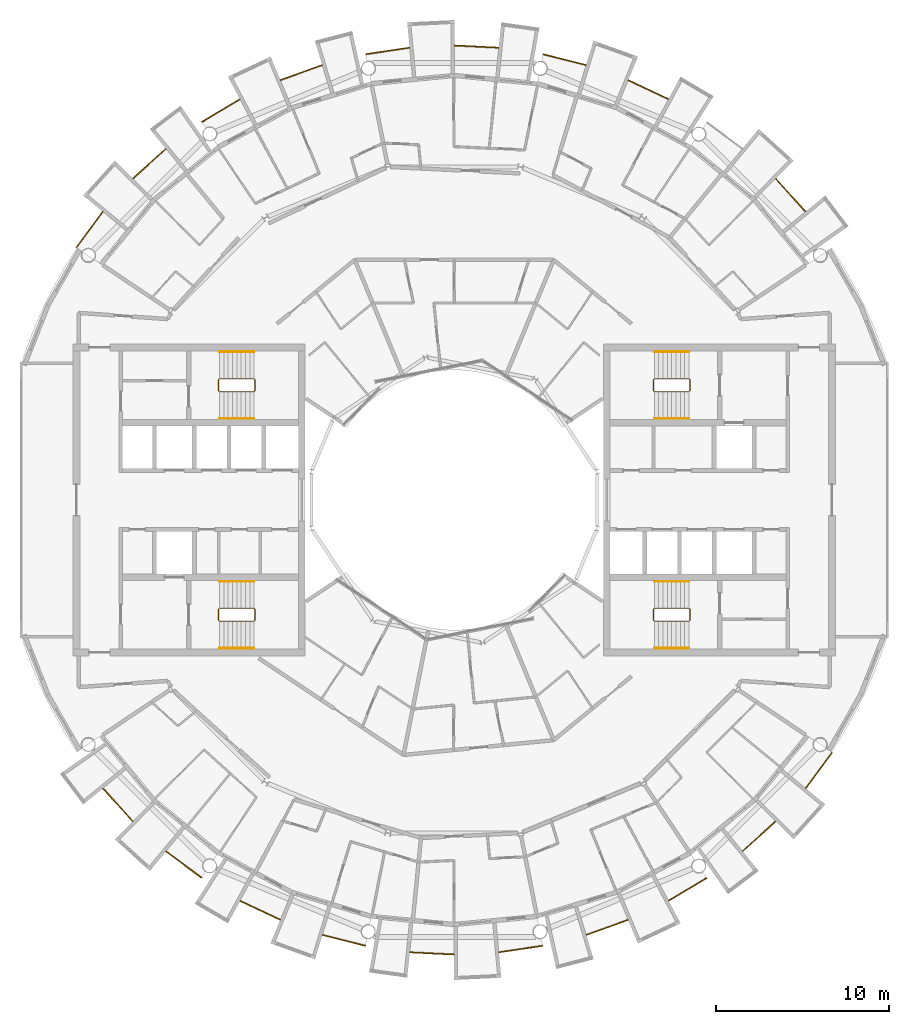
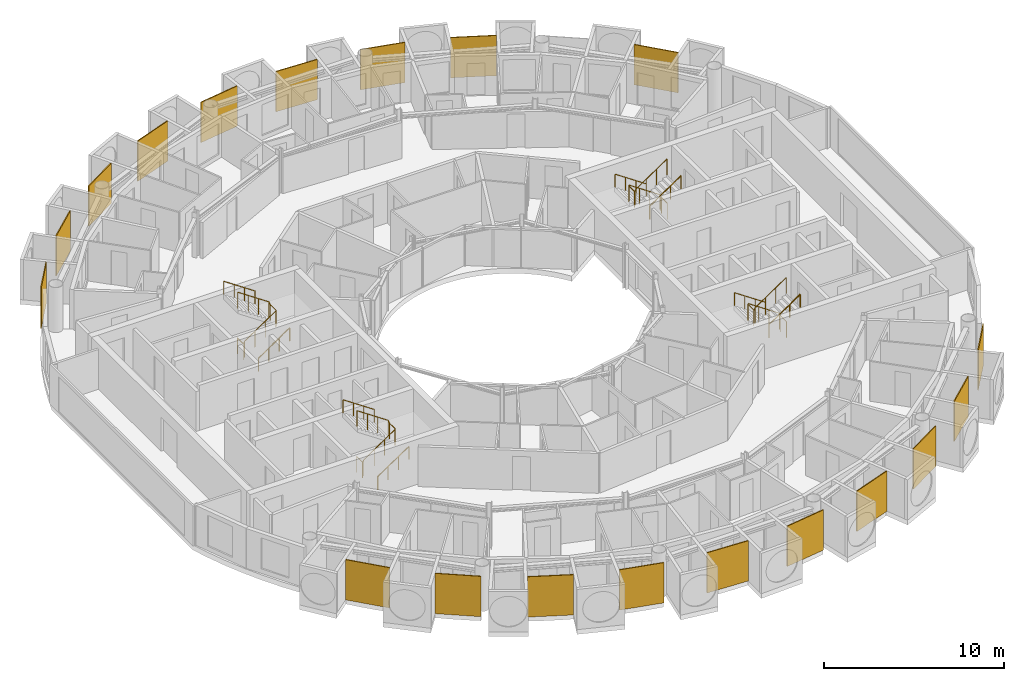
# One storey, part 26 of 27: 31 railings.
"""IFC4 building model written with IfcOpenShell, lengths in metres."""

from ifc_helpers import new_model, si_unit, direction, frame, origin, origin_2d, place, context, subcontext, project, spatial, polyline, circle, outline, extrude, material, layer, layer_set, type_object, element, save


model = new_model("IFC4")

# Units and contexts
model_context = context("Model", 3, precision=1e-05, world=origin(), true_north=direction((0.0, 1.0)))
body_context = subcontext(model_context, "Body", "Model", "MODEL_VIEW")
ifc_project = project(units=[si_unit("LENGTHUNIT", "METRE"), si_unit("AREAUNIT", "SQUARE_METRE"), si_unit("VOLUMEUNIT", "CUBIC_METRE"), si_unit("PLANEANGLEUNIT", "RADIAN"), si_unit("MASSUNIT", "GRAM", prefix="KILO")], contexts=[model_context])

# Site, building, storey
site_placement = place(None, origin())
site = spatial("IfcSite", under=ifc_project, at=site_placement, CompositionType="ELEMENT")
building_placement = place(site_placement, origin())
building = spatial("IfcBuilding", under=site, at=building_placement, Name="Maasbend Ring Residences", CompositionType="ELEMENT")
storey_placement = place(building_placement, frame((0.0, 0.0, 240.14990234375)))
storey = spatial("IfcBuildingStorey", under=building, at=storey_placement, Name="L69", CompositionType="ELEMENT", Elevation=240.14990234375)

# Railings
ifc_material_1 = material(Name="Pale anodised perforated aluminium", Category="aluminium")
ifc_layer = layer(ifc_material_1, 0.06005859375)
ifc_layer_set = layer_set([ifc_layer], Name="SCREEN-P")
railing_type_1 = type_object("IfcRailingType", Name="SCREEN-P", PredefinedType="GUARDRAIL", material=ifc_layer_set)
railing_1_placement = place(storey_placement, frame((0.0, 0.0, -0.02978515625)))
element("IfcRailing", 1, at=railing_1_placement, inside=storey, type_object=railing_type_1, Name="Perforated screen guard 1", PredefinedType="GUARDRAIL", context=body_context, shape_type="SweptSolid", body=[
    extrude(outline(polyline([(20.2529296875, 16.62109375), (18.52587890625, 18.52587890625), (18.571044921875, 18.56591796875), (20.297119140625, 16.660888671875), (20.2529296875, 16.62109375)])), origin(), (0.0, 0.0, 1.0), 2.72998046875),
])
railing_2_placement = place(storey_placement, frame((0.0, 0.0, -0.02978515625)))
element("IfcRailing", 2, at=railing_2_placement, inside=storey, type_object=railing_type_1, Name="Perforated screen guard 3", PredefinedType="GUARDRAIL", context=body_context, shape_type="SweptSolid", body=[
    extrude(outline(polyline([(12.35107421875, 23.10595703125), (10.02587890625, 24.2060546875), (10.052001953125, 24.260009765625), (12.3759765625, 23.160888671875), (12.35107421875, 23.10595703125)])), origin(), (0.0, 0.0, 1.0), 2.72998046875),
])
railing_3_placement = place(storey_placement, frame((0.0, 0.0, -0.02978515625)))
element("IfcRailing", 3, at=railing_3_placement, inside=storey, type_object=railing_type_1, Name="Perforated screen guard 4", PredefinedType="GUARDRAIL", context=body_context, shape_type="SweptSolid", body=[
    extrude(outline(polyline([(7.60498046875, 25.072021484375), (5.111083984375, 25.697021484375), (5.1259765625, 25.7548828125), (7.6201171875, 25.1298828125), (7.60498046875, 25.072021484375)])), origin(), (0.0, 0.0, 1.0), 2.72998046875),
])
railing_4_placement = place(storey_placement, frame((0.0, 0.0, -0.02978515625)))
element("IfcRailing", 4, at=railing_4_placement, inside=storey, type_object=railing_type_1, Name="Perforated screen guard 5", PredefinedType="GUARDRAIL", context=body_context, shape_type="SweptSolid", body=[
    extrude(outline(polyline([(2.568115234375, 26.073974609375), (0.0, 26.199951171875), (0.0029296875, 26.260009765625), (2.571044921875, 26.134033203125), (2.568115234375, 26.073974609375)])), origin(), (0.0, 0.0, 1.0), 2.72998046875),
])
railing_5_placement = place(storey_placement, frame((0.0, 0.0, -0.02978515625)))
element("IfcRailing", 5, at=railing_5_placement, inside=storey, type_object=railing_type_1, Name="Perforated screen guard 6", PredefinedType="GUARDRAIL", context=body_context, shape_type="SweptSolid", body=[
    extrude(outline(polyline([(-2.568115234375, 26.073974609375), (-5.111083984375, 25.697021484375), (-5.1201171875, 25.756103515625), (-2.576904296875, 26.133056640625), (-2.568115234375, 26.073974609375)])), origin(), (0.0, 0.0, 1.0), 2.72998046875),
])
railing_6_placement = place(storey_placement, frame((0.0, 0.0, -0.02978515625)))
element("IfcRailing", 6, at=railing_6_placement, inside=storey, type_object=railing_type_1, Name="Perforated screen guard 7", PredefinedType="GUARDRAIL", context=body_context, shape_type="SweptSolid", body=[
    extrude(outline(polyline([(-7.60498046875, 25.072021484375), (-10.02587890625, 24.2060546875), (-10.047119140625, 24.261962890625), (-7.6259765625, 25.1279296875), (-7.60498046875, 25.072021484375)])), origin(), (0.0, 0.0, 1.0), 2.72998046875),
])
railing_7_placement = place(storey_placement, frame((0.0, 0.0, -0.02978515625)))
element("IfcRailing", 7, at=railing_7_placement, inside=storey, type_object=railing_type_1, Name="Perforated screen guard 8", PredefinedType="GUARDRAIL", context=body_context, shape_type="SweptSolid", body=[
    extrude(outline(polyline([(-12.35107421875, 23.10595703125), (-14.555908203125, 21.784912109375), (-14.5869140625, 21.8359375), (-12.381103515625, 23.157958984375), (-12.35107421875, 23.10595703125)])), origin(), (0.0, 0.0, 1.0), 2.72998046875),
])
railing_8_placement = place(storey_placement, frame((0.0, 0.0, -0.02978515625)))
element("IfcRailing", 8, at=railing_8_placement, inside=storey, type_object=railing_type_1, Name="Perforated screen guard 9", PredefinedType="GUARDRAIL", context=body_context, shape_type="SweptSolid", body=[
    extrude(outline(polyline([(-16.62109375, 20.2529296875), (-18.52587890625, 18.52587890625), (-18.56591796875, 18.571044921875), (-16.660888671875, 20.297119140625), (-16.62109375, 20.2529296875)])), origin(), (0.0, 0.0, 1.0), 2.72998046875),
])
railing_9_placement = place(storey_placement, frame((0.0, 0.0, -0.02978515625)))
element("IfcRailing", 9, at=railing_9_placement, inside=storey, type_object=railing_type_1, Name="Perforated screen guard 10", PredefinedType="GUARDRAIL", context=body_context, shape_type="SweptSolid", body=[
    extrude(outline(polyline([(-20.2529296875, 16.62109375), (-21.784912109375, 14.555908203125), (-21.8330078125, 14.592041015625), (-20.301025390625, 16.656982421875), (-20.2529296875, 16.62109375)])), origin(), (0.0, 0.0, 1.0), 2.72998046875),
])
railing_10_placement = place(storey_placement, frame((0.0, 0.0, -0.02978515625)))
element("IfcRailing", 10, at=railing_10_placement, inside=storey, type_object=railing_type_1, Name="Perforated screen guard 1", PredefinedType="GUARDRAIL", context=body_context, shape_type="SweptSolid", body=[
    extrude(outline(polyline([(-20.2529296875, -16.62109375), (-18.52587890625, -18.52587890625), (-18.571044921875, -18.56591796875), (-20.297119140625, -16.660888671875), (-20.2529296875, -16.62109375)])), origin(), (0.0, 0.0, 1.0), 2.72998046875),
])
railing_11_placement = place(storey_placement, frame((0.0, 0.0, -0.02978515625)))
element("IfcRailing", 11, at=railing_11_placement, inside=storey, type_object=railing_type_1, Name="Perforated screen guard 2", PredefinedType="GUARDRAIL", context=body_context, shape_type="SweptSolid", body=[
    extrude(outline(polyline([(-16.62109375, -20.2529296875), (-14.555908203125, -21.784912109375), (-14.592041015625, -21.8330078125), (-16.656982421875, -20.301025390625), (-16.62109375, -20.2529296875)])), origin(), (0.0, 0.0, 1.0), 2.72998046875),
])
railing_12_placement = place(storey_placement, frame((0.0, 0.0, -0.02978515625)))
element("IfcRailing", 12, at=railing_12_placement, inside=storey, type_object=railing_type_1, Name="Perforated screen guard 3", PredefinedType="GUARDRAIL", context=body_context, shape_type="SweptSolid", body=[
    extrude(outline(polyline([(-12.35107421875, -23.10595703125), (-10.02587890625, -24.2060546875), (-10.052001953125, -24.260009765625), (-12.3759765625, -23.160888671875), (-12.35107421875, -23.10595703125)])), origin(), (0.0, 0.0, 1.0), 2.72998046875),
])
railing_13_placement = place(storey_placement, frame((0.0, 0.0, -0.02978515625)))
element("IfcRailing", 13, at=railing_13_placement, inside=storey, type_object=railing_type_1, Name="Perforated screen guard 4", PredefinedType="GUARDRAIL", context=body_context, shape_type="SweptSolid", body=[
    extrude(outline(polyline([(-7.60498046875, -25.072021484375), (-5.111083984375, -25.697021484375), (-5.1259765625, -25.7548828125), (-7.6201171875, -25.1298828125), (-7.60498046875, -25.072021484375)])), origin(), (0.0, 0.0, 1.0), 2.72998046875),
])
railing_14_placement = place(storey_placement, frame((0.0, 0.0, -0.02978515625)))
element("IfcRailing", 14, at=railing_14_placement, inside=storey, type_object=railing_type_1, Name="Perforated screen guard 5", PredefinedType="GUARDRAIL", context=body_context, shape_type="SweptSolid", body=[
    extrude(outline(polyline([(-2.568115234375, -26.073974609375), (0.0, -26.199951171875), (-0.0029296875, -26.260009765625), (-2.571044921875, -26.134033203125), (-2.568115234375, -26.073974609375)])), origin(), (0.0, 0.0, 1.0), 2.72998046875),
])
railing_15_placement = place(storey_placement, frame((0.0, 0.0, -0.02978515625)))
element("IfcRailing", 15, at=railing_15_placement, inside=storey, type_object=railing_type_1, Name="Perforated screen guard 6", PredefinedType="GUARDRAIL", context=body_context, shape_type="SweptSolid", body=[
    extrude(outline(polyline([(2.568115234375, -26.073974609375), (5.111083984375, -25.697021484375), (5.1201171875, -25.756103515625), (2.576904296875, -26.133056640625), (2.568115234375, -26.073974609375)])), origin(), (0.0, 0.0, 1.0), 2.72998046875),
])
railing_16_placement = place(storey_placement, frame((0.0, 0.0, -0.02978515625)))
element("IfcRailing", 16, at=railing_16_placement, inside=storey, type_object=railing_type_1, Name="Perforated screen guard 7", PredefinedType="GUARDRAIL", context=body_context, shape_type="SweptSolid", body=[
    extrude(outline(polyline([(7.60498046875, -25.072021484375), (10.02587890625, -24.2060546875), (10.047119140625, -24.261962890625), (7.6259765625, -25.1279296875), (7.60498046875, -25.072021484375)])), origin(), (0.0, 0.0, 1.0), 2.72998046875),
])
railing_17_placement = place(storey_placement, frame((0.0, 0.0, -0.02978515625)))
element("IfcRailing", 17, at=railing_17_placement, inside=storey, type_object=railing_type_1, Name="Perforated screen guard 8", PredefinedType="GUARDRAIL", context=body_context, shape_type="SweptSolid", body=[
    extrude(outline(polyline([(12.35107421875, -23.10595703125), (14.555908203125, -21.784912109375), (14.5869140625, -21.8359375), (12.381103515625, -23.157958984375), (12.35107421875, -23.10595703125)])), origin(), (0.0, 0.0, 1.0), 2.72998046875),
])
railing_18_placement = place(storey_placement, frame((0.0, 0.0, -0.02978515625)))
element("IfcRailing", 18, at=railing_18_placement, inside=storey, type_object=railing_type_1, Name="Perforated screen guard 9", PredefinedType="GUARDRAIL", context=body_context, shape_type="SweptSolid", body=[
    extrude(outline(polyline([(16.62109375, -20.2529296875), (18.52587890625, -18.52587890625), (18.56591796875, -18.571044921875), (16.660888671875, -20.297119140625), (16.62109375, -20.2529296875)])), origin(), (0.0, 0.0, 1.0), 2.72998046875),
])
railing_19_placement = place(storey_placement, frame((0.0, 0.0, -0.02978515625)))
element("IfcRailing", 19, at=railing_19_placement, inside=storey, type_object=railing_type_1, Name="Perforated screen guard 10", PredefinedType="GUARDRAIL", context=body_context, shape_type="SweptSolid", body=[
    extrude(outline(polyline([(20.2529296875, -16.62109375), (21.784912109375, -14.555908203125), (21.8330078125, -14.592041015625), (20.301025390625, -16.656982421875), (20.2529296875, -16.62109375)])), origin(), (0.0, 0.0, 1.0), 2.72998046875),
])
ifc_material_2 = material(Name="Stainless steel 316", Category="steel")
railing_type_2 = type_object("IfcRailingType", Name="STAIR GUARD 1100", PredefinedType="GUARDRAIL", material=ifc_material_2)
railing_20_placement = place(storey_placement, frame((13.60009765625, 6.300048828125, 0.0)))
element("IfcRailing", 20, at=railing_20_placement, inside=storey, type_object=railing_type_2, Name="L69 ST-E1 stair guard 1", PredefinedType="GUARDRAIL", context=body_context, shape_type="SweptSolid", body=[
    extrude(circle(Radius=0.02392578125, at=origin_2d()), frame((0.0, 0.0, 1.076171875), z_axis=(0.0, 1.0, 0.0), x_axis=(-1.0, 0.0, 0.0)), (0.0, 0.0, 1.0), 0.64990234375),
    extrude(circle(Radius=0.02392578125, at=origin_2d()), frame((0.0, 0.64990234375, 1.076171875), z_axis=(-0.272562526181, 0.272562526181, 0.92272386912), x_axis=(-0.707106781187, -0.707106781187, 0.0)), (0.0, 0.0, 1.0), 0.18359375),
    extrude(circle(Radius=0.02392578125, at=origin_2d()), frame((-0.050048828125, 0.699951171875, 1.24560546875), z_axis=(-0.827750655447, 0.0, 0.561096116906), x_axis=(0.0, -1.0, 0.0)), (0.0, 0.0, 1.0), 2.416259765625),
    extrude(circle(Radius=0.02392578125, at=origin_2d()), frame((-2.050048828125, 0.699951171875, 2.60107421875), z_axis=(-0.707106781187, -0.707106781187, 0.0), x_axis=(0.707106781187, -0.707106781187, 0.0)), (0.0, 0.0, 1.0), 0.07080078125),
    extrude(circle(Radius=0.02392578125, at=origin_2d()), frame((-2.10009765625, 0.64990234375, 2.60107421875), z_axis=(0.0, -1.0, 0.0), x_axis=(1.0, 0.0, 0.0)), (0.0, 0.0, 1.0), 0.64990234375),
    extrude(circle(Radius=0.02392578125, at=origin_2d()), frame((-2.10009765625, 0.0, 2.60107421875), z_axis=(0.272562526181, -0.272562526181, 0.92272386912), x_axis=(0.707106781187, 0.707106781187, 0.0)), (0.0, 0.0, 1.0), 0.18359375),
    extrude(circle(Radius=0.02392578125, at=origin_2d()), frame((-2.050048828125, -0.050048828125, 2.7705078125), z_axis=(0.827797584762, 0.0, 0.561026878735), x_axis=(0.0, 1.0, 0.0)), (0.0, 0.0, 1.0), 2.416015625),
    extrude(circle(Radius=0.02099609375, at=origin_2d()), origin(), (0.0, 0.0, 1.0), 1.052001953125),
    extrude(circle(Radius=0.02099609375, at=origin_2d()), frame((0.0, 0.64990234375, 0.0)), (0.0, 0.0, 1.0), 1.052001953125),
    extrude(circle(Radius=0.02099609375, at=origin_2d()), frame((-0.050048828125, 0.699951171875, 0.16943359375)), (0.0, 0.0, 1.0), 1.052001953125),
    extrude(circle(Radius=0.02099609375, at=origin_2d()), frame((-0.716796875, 0.699951171875, 0.621337890625)), (0.0, 0.0, 1.0), 1.052001953125),
    extrude(circle(Radius=0.02099609375, at=origin_2d()), frame((-1.38330078125, 0.699951171875, 1.0732421875)), (0.0, 0.0, 1.0), 1.052001953125),
    extrude(circle(Radius=0.02099609375, at=origin_2d()), frame((-2.050048828125, 0.699951171875, 1.525146484375)), (0.0, 0.0, 1.0), 1.052001953125),
    extrude(circle(Radius=0.02099609375, at=origin_2d()), frame((-2.10009765625, 0.64990234375, 1.525146484375)), (0.0, 0.0, 1.0), 1.052001953125),
    extrude(circle(Radius=0.02099609375, at=origin_2d()), frame((-2.10009765625, 0.0, 1.525146484375)), (0.0, 0.0, 1.0), 1.052001953125),
    extrude(circle(Radius=0.02099609375, at=origin_2d()), frame((-2.050048828125, -0.050048828125, 1.694580078125)), (0.0, 0.0, 1.0), 1.052001953125),
    extrude(circle(Radius=0.02099609375, at=origin_2d()), frame((-1.38330078125, -0.050048828125, 2.146484375)), (0.0, 0.0, 1.0), 1.052001953125),
    extrude(circle(Radius=0.02099609375, at=origin_2d()), frame((-0.716796875, -0.050048828125, 2.59814453125)), (0.0, 0.0, 1.0), 1.052001953125),
    extrude(circle(Radius=0.02099609375, at=origin_2d()), frame((-0.050048828125, -0.050048828125, 3.050048828125)), (0.0, 0.0, 1.0), 1.052001953125),
])
railing_21_placement = place(storey_placement, frame((13.60009765625, -6.949951171875, 0.0)))
element("IfcRailing", 21, at=railing_21_placement, inside=storey, type_object=railing_type_2, Name="L69 ST-E2 stair guard 1", PredefinedType="GUARDRAIL", context=body_context, shape_type="SweptSolid", body=[
    extrude(circle(Radius=0.02392578125, at=origin_2d()), frame((0.0, 0.0, 1.076171875), z_axis=(0.0, 1.0, 0.0), x_axis=(-1.0, 0.0, 0.0)), (0.0, 0.0, 1.0), 0.64990234375),
    extrude(circle(Radius=0.02392578125, at=origin_2d()), frame((0.0, 0.64990234375, 1.076171875), z_axis=(-0.272562526181, 0.272562526181, 0.92272386912), x_axis=(-0.707106781187, -0.707106781187, 0.0)), (0.0, 0.0, 1.0), 0.18359375),
    extrude(circle(Radius=0.02392578125, at=origin_2d()), frame((-0.050048828125, 0.699951171875, 1.24560546875), z_axis=(-0.827750655447, 0.0, 0.561096116906), x_axis=(0.0, -1.0, 0.0)), (0.0, 0.0, 1.0), 2.416259765625),
    extrude(circle(Radius=0.02392578125, at=origin_2d()), frame((-2.050048828125, 0.699951171875, 2.60107421875), z_axis=(-0.707106781187, -0.707106781187, 0.0), x_axis=(0.707106781187, -0.707106781187, 0.0)), (0.0, 0.0, 1.0), 0.07080078125),
    extrude(circle(Radius=0.02392578125, at=origin_2d()), frame((-2.10009765625, 0.64990234375, 2.60107421875), z_axis=(0.0, -1.0, 0.0), x_axis=(1.0, 0.0, 0.0)), (0.0, 0.0, 1.0), 0.64990234375),
    extrude(circle(Radius=0.02392578125, at=origin_2d()), frame((-2.10009765625, 0.0, 2.60107421875), z_axis=(0.272562526181, -0.272562526181, 0.92272386912), x_axis=(0.707106781187, 0.707106781187, 0.0)), (0.0, 0.0, 1.0), 0.18359375),
    extrude(circle(Radius=0.02392578125, at=origin_2d()), frame((-2.050048828125, -0.050048828125, 2.7705078125), z_axis=(0.827797584762, 0.0, 0.561026878735), x_axis=(0.0, 1.0, 0.0)), (0.0, 0.0, 1.0), 2.416015625),
    extrude(circle(Radius=0.02099609375, at=origin_2d()), origin(), (0.0, 0.0, 1.0), 1.052001953125),
    extrude(circle(Radius=0.02099609375, at=origin_2d()), frame((0.0, 0.64990234375, 0.0)), (0.0, 0.0, 1.0), 1.052001953125),
    extrude(circle(Radius=0.02099609375, at=origin_2d()), frame((-0.050048828125, 0.699951171875, 0.16943359375)), (0.0, 0.0, 1.0), 1.052001953125),
    extrude(circle(Radius=0.02099609375, at=origin_2d()), frame((-0.716796875, 0.699951171875, 0.621337890625)), (0.0, 0.0, 1.0), 1.052001953125),
    extrude(circle(Radius=0.02099609375, at=origin_2d()), frame((-1.38330078125, 0.699951171875, 1.0732421875)), (0.0, 0.0, 1.0), 1.052001953125),
    extrude(circle(Radius=0.02099609375, at=origin_2d()), frame((-2.050048828125, 0.699951171875, 1.525146484375)), (0.0, 0.0, 1.0), 1.052001953125),
    extrude(circle(Radius=0.02099609375, at=origin_2d()), frame((-2.10009765625, 0.64990234375, 1.525146484375)), (0.0, 0.0, 1.0), 1.052001953125),
    extrude(circle(Radius=0.02099609375, at=origin_2d()), frame((-2.10009765625, 0.0, 1.525146484375)), (0.0, 0.0, 1.0), 1.052001953125),
    extrude(circle(Radius=0.02099609375, at=origin_2d()), frame((-2.050048828125, -0.050048828125, 1.694580078125)), (0.0, 0.0, 1.0), 1.052001953125),
    extrude(circle(Radius=0.02099609375, at=origin_2d()), frame((-1.38330078125, -0.050048828125, 2.146484375)), (0.0, 0.0, 1.0), 1.052001953125),
    extrude(circle(Radius=0.02099609375, at=origin_2d()), frame((-0.716796875, -0.050048828125, 2.59814453125)), (0.0, 0.0, 1.0), 1.052001953125),
    extrude(circle(Radius=0.02099609375, at=origin_2d()), frame((-0.050048828125, -0.050048828125, 3.050048828125)), (0.0, 0.0, 1.0), 1.052001953125),
])
railing_22_placement = place(storey_placement, frame((-13.60009765625, -6.300048828125, 0.0)))
element("IfcRailing", 22, at=railing_22_placement, inside=storey, type_object=railing_type_2, Name="L69 ST-W1 stair guard 1", PredefinedType="GUARDRAIL", context=body_context, shape_type="SweptSolid", body=[
    extrude(circle(Radius=0.02392578125, at=origin_2d()), frame((0.0, 0.0, 1.076171875), z_axis=(0.0, -1.0, 0.0), x_axis=(1.0, 0.0, 0.0)), (0.0, 0.0, 1.0), 0.64990234375),
    extrude(circle(Radius=0.02392578125, at=origin_2d()), frame((0.0, -0.64990234375, 1.076171875), z_axis=(0.272562526181, -0.272562526181, 0.92272386912), x_axis=(0.707106781187, 0.707106781187, 0.0)), (0.0, 0.0, 1.0), 0.18359375),
    extrude(circle(Radius=0.02392578125, at=origin_2d()), frame((0.050048828125, -0.699951171875, 1.24560546875), z_axis=(0.827750655447, 0.0, 0.561096116906), x_axis=(0.0, 1.0, 0.0)), (0.0, 0.0, 1.0), 2.416259765625),
    extrude(circle(Radius=0.02392578125, at=origin_2d()), frame((2.050048828125, -0.699951171875, 2.60107421875), z_axis=(0.707106781187, 0.707106781187, 0.0), x_axis=(-0.707106781187, 0.707106781187, 0.0)), (0.0, 0.0, 1.0), 0.07080078125),
    extrude(circle(Radius=0.02392578125, at=origin_2d()), frame((2.10009765625, -0.64990234375, 2.60107421875), z_axis=(0.0, 1.0, 0.0), x_axis=(-1.0, 0.0, 0.0)), (0.0, 0.0, 1.0), 0.64990234375),
    extrude(circle(Radius=0.02392578125, at=origin_2d()), frame((2.10009765625, 0.0, 2.60107421875), z_axis=(-0.272562526181, 0.272562526181, 0.92272386912), x_axis=(-0.707106781187, -0.707106781187, 0.0)), (0.0, 0.0, 1.0), 0.18359375),
    extrude(circle(Radius=0.02392578125, at=origin_2d()), frame((2.050048828125, 0.050048828125, 2.7705078125), z_axis=(-0.827797584762, 0.0, 0.561026878735), x_axis=(0.0, -1.0, 0.0)), (0.0, 0.0, 1.0), 2.416015625),
    extrude(circle(Radius=0.02099609375, at=origin_2d()), origin(), (0.0, 0.0, 1.0), 1.052001953125),
    extrude(circle(Radius=0.02099609375, at=origin_2d()), frame((0.0, -0.64990234375, 0.0)), (0.0, 0.0, 1.0), 1.052001953125),
    extrude(circle(Radius=0.02099609375, at=origin_2d()), frame((0.050048828125, -0.699951171875, 0.16943359375)), (0.0, 0.0, 1.0), 1.052001953125),
    extrude(circle(Radius=0.02099609375, at=origin_2d()), frame((0.716796875, -0.699951171875, 0.621337890625)), (0.0, 0.0, 1.0), 1.052001953125),
    extrude(circle(Radius=0.02099609375, at=origin_2d()), frame((1.38330078125, -0.699951171875, 1.0732421875)), (0.0, 0.0, 1.0), 1.052001953125),
    extrude(circle(Radius=0.02099609375, at=origin_2d()), frame((2.050048828125, -0.699951171875, 1.525146484375)), (0.0, 0.0, 1.0), 1.052001953125),
    extrude(circle(Radius=0.02099609375, at=origin_2d()), frame((2.10009765625, -0.64990234375, 1.525146484375)), (0.0, 0.0, 1.0), 1.052001953125),
    extrude(circle(Radius=0.02099609375, at=origin_2d()), frame((2.10009765625, 0.0, 1.525146484375)), (0.0, 0.0, 1.0), 1.052001953125),
    extrude(circle(Radius=0.02099609375, at=origin_2d()), frame((2.050048828125, 0.050048828125, 1.694580078125)), (0.0, 0.0, 1.0), 1.052001953125),
    extrude(circle(Radius=0.02099609375, at=origin_2d()), frame((1.38330078125, 0.050048828125, 2.146484375)), (0.0, 0.0, 1.0), 1.052001953125),
    extrude(circle(Radius=0.02099609375, at=origin_2d()), frame((0.716796875, 0.050048828125, 2.59814453125)), (0.0, 0.0, 1.0), 1.052001953125),
    extrude(circle(Radius=0.02099609375, at=origin_2d()), frame((0.050048828125, 0.050048828125, 3.050048828125)), (0.0, 0.0, 1.0), 1.052001953125),
])
railing_23_placement = place(storey_placement, frame((-13.60009765625, 6.949951171875, 0.0)))
element("IfcRailing", 23, at=railing_23_placement, inside=storey, type_object=railing_type_2, Name="L69 ST-W2 stair guard 1", PredefinedType="GUARDRAIL", context=body_context, shape_type="SweptSolid", body=[
    extrude(circle(Radius=0.02392578125, at=origin_2d()), frame((0.0, 0.0, 1.076171875), z_axis=(0.0, -1.0, 0.0), x_axis=(1.0, 0.0, 0.0)), (0.0, 0.0, 1.0), 0.64990234375),
    extrude(circle(Radius=0.02392578125, at=origin_2d()), frame((0.0, -0.64990234375, 1.076171875), z_axis=(0.272562526181, -0.272562526181, 0.92272386912), x_axis=(0.707106781187, 0.707106781187, 0.0)), (0.0, 0.0, 1.0), 0.18359375),
    extrude(circle(Radius=0.02392578125, at=origin_2d()), frame((0.050048828125, -0.699951171875, 1.24560546875), z_axis=(0.827750655447, 0.0, 0.561096116906), x_axis=(0.0, 1.0, 0.0)), (0.0, 0.0, 1.0), 2.416259765625),
    extrude(circle(Radius=0.02392578125, at=origin_2d()), frame((2.050048828125, -0.699951171875, 2.60107421875), z_axis=(0.707106781187, 0.707106781187, 0.0), x_axis=(-0.707106781187, 0.707106781187, 0.0)), (0.0, 0.0, 1.0), 0.07080078125),
    extrude(circle(Radius=0.02392578125, at=origin_2d()), frame((2.10009765625, -0.64990234375, 2.60107421875), z_axis=(0.0, 1.0, 0.0), x_axis=(-1.0, 0.0, 0.0)), (0.0, 0.0, 1.0), 0.64990234375),
    extrude(circle(Radius=0.02392578125, at=origin_2d()), frame((2.10009765625, 0.0, 2.60107421875), z_axis=(-0.272562526181, 0.272562526181, 0.92272386912), x_axis=(-0.707106781187, -0.707106781187, 0.0)), (0.0, 0.0, 1.0), 0.18359375),
    extrude(circle(Radius=0.02392578125, at=origin_2d()), frame((2.050048828125, 0.050048828125, 2.7705078125), z_axis=(-0.827797584762, 0.0, 0.561026878735), x_axis=(0.0, -1.0, 0.0)), (0.0, 0.0, 1.0), 2.416015625),
    extrude(circle(Radius=0.02099609375, at=origin_2d()), origin(), (0.0, 0.0, 1.0), 1.052001953125),
    extrude(circle(Radius=0.02099609375, at=origin_2d()), frame((0.0, -0.64990234375, 0.0)), (0.0, 0.0, 1.0), 1.052001953125),
    extrude(circle(Radius=0.02099609375, at=origin_2d()), frame((0.050048828125, -0.699951171875, 0.16943359375)), (0.0, 0.0, 1.0), 1.052001953125),
    extrude(circle(Radius=0.02099609375, at=origin_2d()), frame((0.716796875, -0.699951171875, 0.621337890625)), (0.0, 0.0, 1.0), 1.052001953125),
    extrude(circle(Radius=0.02099609375, at=origin_2d()), frame((1.38330078125, -0.699951171875, 1.0732421875)), (0.0, 0.0, 1.0), 1.052001953125),
    extrude(circle(Radius=0.02099609375, at=origin_2d()), frame((2.050048828125, -0.699951171875, 1.525146484375)), (0.0, 0.0, 1.0), 1.052001953125),
    extrude(circle(Radius=0.02099609375, at=origin_2d()), frame((2.10009765625, -0.64990234375, 1.525146484375)), (0.0, 0.0, 1.0), 1.052001953125),
    extrude(circle(Radius=0.02099609375, at=origin_2d()), frame((2.10009765625, 0.0, 1.525146484375)), (0.0, 0.0, 1.0), 1.052001953125),
    extrude(circle(Radius=0.02099609375, at=origin_2d()), frame((2.050048828125, 0.050048828125, 1.694580078125)), (0.0, 0.0, 1.0), 1.052001953125),
    extrude(circle(Radius=0.02099609375, at=origin_2d()), frame((1.38330078125, 0.050048828125, 2.146484375)), (0.0, 0.0, 1.0), 1.052001953125),
    extrude(circle(Radius=0.02099609375, at=origin_2d()), frame((0.716796875, 0.050048828125, 2.59814453125)), (0.0, 0.0, 1.0), 1.052001953125),
    extrude(circle(Radius=0.02099609375, at=origin_2d()), frame((0.050048828125, 0.050048828125, 3.050048828125)), (0.0, 0.0, 1.0), 1.052001953125),
])
ifc_material_3 = material(Name="Stainless steel 316", Category="steel")
railing_type_3 = type_object("IfcRailingType", Name="STAIR HANDRAIL 900", PredefinedType="HANDRAIL", material=ifc_material_3)
railing_24_placement = place(storey_placement, frame((13.550048828125, 8.550048828125, 0.16943359375)))
element("IfcRailing", 24, at=railing_24_placement, inside=storey, type_object=railing_type_3, Name="L69 ST-E1 stair handrail 1", PredefinedType="HANDRAIL", context=body_context, shape_type="SweptSolid", body=[
    extrude(circle(Radius=0.02392578125, at=origin_2d()), frame((0.0, 0.0, 0.8759765625), z_axis=(-0.827750655447, 0.0, 0.561096116906), x_axis=(0.0, -1.0, 0.0)), (0.0, 0.0, 1.0), 2.416259765625),
    extrude(circle(Radius=0.02099609375, at=origin_2d()), origin(), (0.0, 0.0, 1.0), 0.851806640625),
    extrude(circle(Radius=0.02099609375, at=origin_2d()), frame((-0.666748046875, 0.0, 0.451904296875)), (0.0, 0.0, 1.0), 0.851806640625),
    extrude(circle(Radius=0.02099609375, at=origin_2d()), frame((-1.333251953125, 0.0, 0.90380859375)), (0.0, 0.0, 1.0), 0.851806640625),
    extrude(circle(Radius=0.02099609375, at=origin_2d()), frame((-2.0, 0.0, 1.355712890625)), (0.0, 0.0, 1.0), 0.851806640625),
])
railing_25_placement = place(storey_placement, frame((11.550048828125, 4.699951171875, 1.694580078125)))
element("IfcRailing", 25, at=railing_25_placement, inside=storey, type_object=railing_type_3, Name="L69 ST-E1 stair handrail 2", PredefinedType="HANDRAIL", context=body_context, shape_type="SweptSolid", body=[
    extrude(circle(Radius=0.02392578125, at=origin_2d()), frame((0.0, 0.0, 0.8759765625), z_axis=(0.827797584762, 0.0, 0.561026878735), x_axis=(0.0, 1.0, 0.0)), (0.0, 0.0, 1.0), 2.416015625),
    extrude(circle(Radius=0.02099609375, at=origin_2d()), origin(), (0.0, 0.0, 1.0), 0.851806640625),
    extrude(circle(Radius=0.02099609375, at=origin_2d()), frame((0.666748046875, 0.0, 0.451904296875)), (0.0, 0.0, 1.0), 0.851806640625),
    extrude(circle(Radius=0.02099609375, at=origin_2d()), frame((1.333251953125, 0.0, 0.903564453125)), (0.0, 0.0, 1.0), 0.851806640625),
    extrude(circle(Radius=0.02099609375, at=origin_2d()), frame((2.0, 0.0, 1.35546875)), (0.0, 0.0, 1.0), 0.851806640625),
])
railing_26_placement = place(storey_placement, frame((13.550048828125, -4.699951171875, 0.16943359375)))
element("IfcRailing", 26, at=railing_26_placement, inside=storey, type_object=railing_type_3, Name="L69 ST-E2 stair handrail 1", PredefinedType="HANDRAIL", context=body_context, shape_type="SweptSolid", body=[
    extrude(circle(Radius=0.02392578125, at=origin_2d()), frame((0.0, 0.0, 0.8759765625), z_axis=(-0.827750655447, 0.0, 0.561096116906), x_axis=(0.0, -1.0, 0.0)), (0.0, 0.0, 1.0), 2.416259765625),
    extrude(circle(Radius=0.02099609375, at=origin_2d()), origin(), (0.0, 0.0, 1.0), 0.851806640625),
    extrude(circle(Radius=0.02099609375, at=origin_2d()), frame((-0.666748046875, 0.0, 0.451904296875)), (0.0, 0.0, 1.0), 0.851806640625),
    extrude(circle(Radius=0.02099609375, at=origin_2d()), frame((-1.333251953125, 0.0, 0.90380859375)), (0.0, 0.0, 1.0), 0.851806640625),
    extrude(circle(Radius=0.02099609375, at=origin_2d()), frame((-2.0, 0.0, 1.355712890625)), (0.0, 0.0, 1.0), 0.851806640625),
])
railing_27_placement = place(storey_placement, frame((11.550048828125, -8.550048828125, 1.694580078125)))
element("IfcRailing", 27, at=railing_27_placement, inside=storey, type_object=railing_type_3, Name="L69 ST-E2 stair handrail 2", PredefinedType="HANDRAIL", context=body_context, shape_type="SweptSolid", body=[
    extrude(circle(Radius=0.02392578125, at=origin_2d()), frame((0.0, 0.0, 0.8759765625), z_axis=(0.827797584762, 0.0, 0.561026878735), x_axis=(0.0, 1.0, 0.0)), (0.0, 0.0, 1.0), 2.416015625),
    extrude(circle(Radius=0.02099609375, at=origin_2d()), origin(), (0.0, 0.0, 1.0), 0.851806640625),
    extrude(circle(Radius=0.02099609375, at=origin_2d()), frame((0.666748046875, 0.0, 0.451904296875)), (0.0, 0.0, 1.0), 0.851806640625),
    extrude(circle(Radius=0.02099609375, at=origin_2d()), frame((1.333251953125, 0.0, 0.903564453125)), (0.0, 0.0, 1.0), 0.851806640625),
    extrude(circle(Radius=0.02099609375, at=origin_2d()), frame((2.0, 0.0, 1.35546875)), (0.0, 0.0, 1.0), 0.851806640625),
])
railing_28_placement = place(storey_placement, frame((-13.550048828125, -8.550048828125, 0.16943359375)))
element("IfcRailing", 28, at=railing_28_placement, inside=storey, type_object=railing_type_3, Name="L69 ST-W1 stair handrail 1", PredefinedType="HANDRAIL", context=body_context, shape_type="SweptSolid", body=[
    extrude(circle(Radius=0.02392578125, at=origin_2d()), frame((0.0, 0.0, 0.8759765625), z_axis=(0.827750655447, 0.0, 0.561096116906), x_axis=(0.0, 1.0, 0.0)), (0.0, 0.0, 1.0), 2.416259765625),
    extrude(circle(Radius=0.02099609375, at=origin_2d()), origin(), (0.0, 0.0, 1.0), 0.851806640625),
    extrude(circle(Radius=0.02099609375, at=origin_2d()), frame((0.666748046875, 0.0, 0.451904296875)), (0.0, 0.0, 1.0), 0.851806640625),
    extrude(circle(Radius=0.02099609375, at=origin_2d()), frame((1.333251953125, 0.0, 0.90380859375)), (0.0, 0.0, 1.0), 0.851806640625),
    extrude(circle(Radius=0.02099609375, at=origin_2d()), frame((2.0, 0.0, 1.355712890625)), (0.0, 0.0, 1.0), 0.851806640625),
])
railing_29_placement = place(storey_placement, frame((-11.550048828125, -4.699951171875, 1.694580078125)))
element("IfcRailing", 29, at=railing_29_placement, inside=storey, type_object=railing_type_3, Name="L69 ST-W1 stair handrail 2", PredefinedType="HANDRAIL", context=body_context, shape_type="SweptSolid", body=[
    extrude(circle(Radius=0.02392578125, at=origin_2d()), frame((0.0, 0.0, 0.8759765625), z_axis=(-0.827797584762, 0.0, 0.561026878735), x_axis=(0.0, -1.0, 0.0)), (0.0, 0.0, 1.0), 2.416015625),
    extrude(circle(Radius=0.02099609375, at=origin_2d()), origin(), (0.0, 0.0, 1.0), 0.851806640625),
    extrude(circle(Radius=0.02099609375, at=origin_2d()), frame((-0.666748046875, 0.0, 0.451904296875)), (0.0, 0.0, 1.0), 0.851806640625),
    extrude(circle(Radius=0.02099609375, at=origin_2d()), frame((-1.333251953125, 0.0, 0.903564453125)), (0.0, 0.0, 1.0), 0.851806640625),
    extrude(circle(Radius=0.02099609375, at=origin_2d()), frame((-2.0, 0.0, 1.35546875)), (0.0, 0.0, 1.0), 0.851806640625),
])
railing_30_placement = place(storey_placement, frame((-13.550048828125, 4.699951171875, 0.16943359375)))
element("IfcRailing", 30, at=railing_30_placement, inside=storey, type_object=railing_type_3, Name="L69 ST-W2 stair handrail 1", PredefinedType="HANDRAIL", context=body_context, shape_type="SweptSolid", body=[
    extrude(circle(Radius=0.02392578125, at=origin_2d()), frame((0.0, 0.0, 0.8759765625), z_axis=(0.827750655447, 0.0, 0.561096116906), x_axis=(0.0, 1.0, 0.0)), (0.0, 0.0, 1.0), 2.416259765625),
    extrude(circle(Radius=0.02099609375, at=origin_2d()), origin(), (0.0, 0.0, 1.0), 0.851806640625),
    extrude(circle(Radius=0.02099609375, at=origin_2d()), frame((0.666748046875, 0.0, 0.451904296875)), (0.0, 0.0, 1.0), 0.851806640625),
    extrude(circle(Radius=0.02099609375, at=origin_2d()), frame((1.333251953125, 0.0, 0.90380859375)), (0.0, 0.0, 1.0), 0.851806640625),
    extrude(circle(Radius=0.02099609375, at=origin_2d()), frame((2.0, 0.0, 1.355712890625)), (0.0, 0.0, 1.0), 0.851806640625),
])
railing_31_placement = place(storey_placement, frame((-11.550048828125, 8.550048828125, 1.694580078125)))
element("IfcRailing", 31, at=railing_31_placement, inside=storey, type_object=railing_type_3, Name="L69 ST-W2 stair handrail 2", PredefinedType="HANDRAIL", context=body_context, shape_type="SweptSolid", body=[
    extrude(circle(Radius=0.02392578125, at=origin_2d()), frame((0.0, 0.0, 0.8759765625), z_axis=(-0.827797584762, 0.0, 0.561026878735), x_axis=(0.0, -1.0, 0.0)), (0.0, 0.0, 1.0), 2.416015625),
    extrude(circle(Radius=0.02099609375, at=origin_2d()), origin(), (0.0, 0.0, 1.0), 0.851806640625),
    extrude(circle(Radius=0.02099609375, at=origin_2d()), frame((-0.666748046875, 0.0, 0.451904296875)), (0.0, 0.0, 1.0), 0.851806640625),
    extrude(circle(Radius=0.02099609375, at=origin_2d()), frame((-1.333251953125, 0.0, 0.903564453125)), (0.0, 0.0, 1.0), 0.851806640625),
    extrude(circle(Radius=0.02099609375, at=origin_2d()), frame((-2.0, 0.0, 1.35546875)), (0.0, 0.0, 1.0), 0.851806640625),
])

save(model, "model.ifc")
